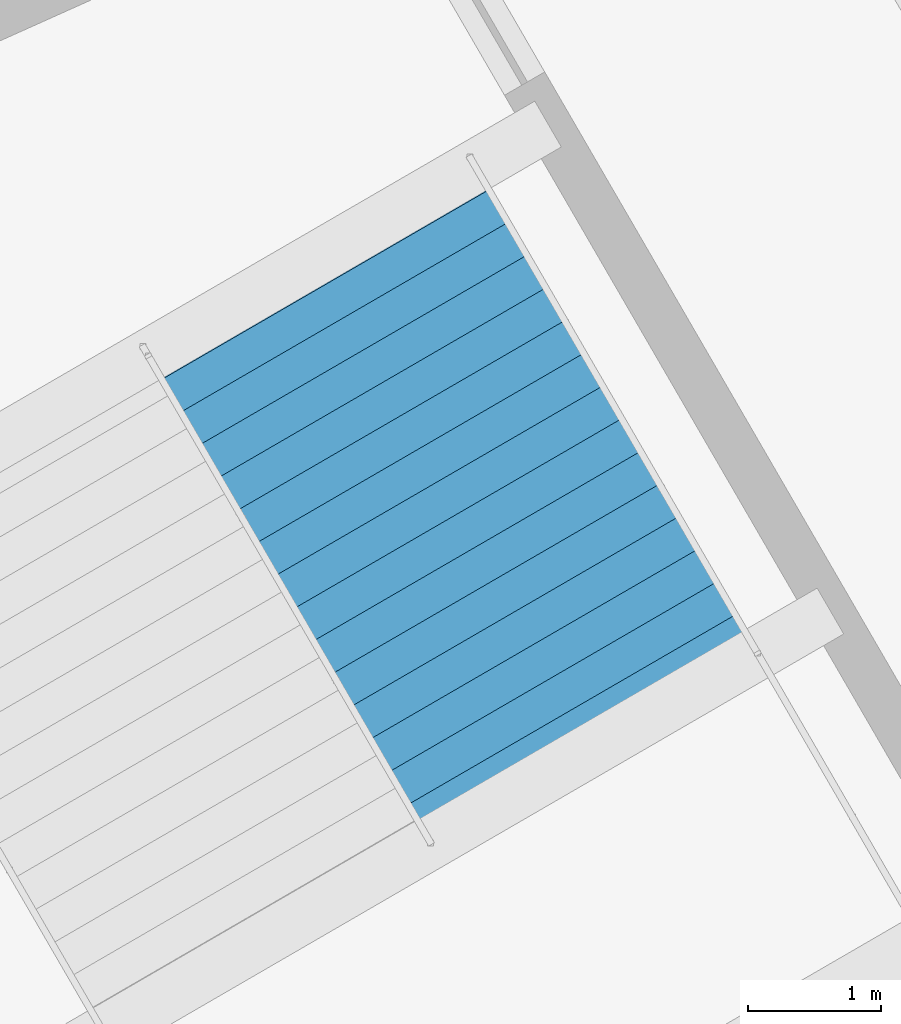
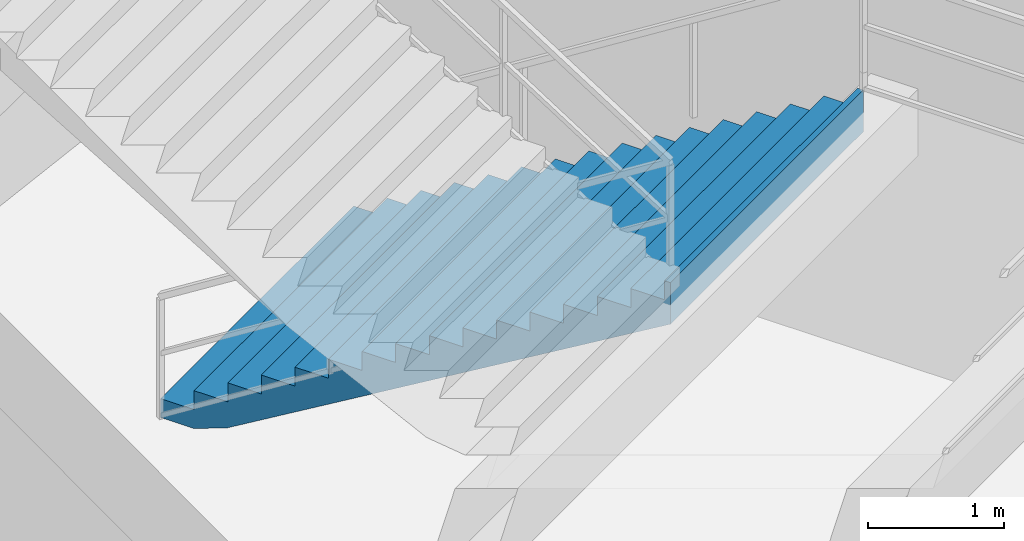
# One storey, part 22 of 49: 1 stair flight, 1 element without a shape of its own.
"""IFC4 building model written with IfcOpenShell, lengths in metres."""

from ifc_helpers import new_model, si_unit, direction, frame, origin, place, context, subcontext, project, spatial, polygons, material, type_object, element, aggregate, save


model = new_model("IFC4")

# Units and contexts
model_context = context("Model", 3, precision=1e-05, world=origin(), true_north=direction((0.0, 1.0)))
body_context = subcontext(model_context, "Body", "Model", "MODEL_VIEW")
ifc_project = project(units=[si_unit("LENGTHUNIT", "METRE"), si_unit("AREAUNIT", "SQUARE_METRE"), si_unit("VOLUMEUNIT", "CUBIC_METRE"), si_unit("PLANEANGLEUNIT", "RADIAN"), si_unit("MASSUNIT", "GRAM", prefix="KILO")], contexts=[model_context])

# Site, building, storey
site_placement = place(None, origin())
site = spatial("IfcSite", under=ifc_project, at=site_placement, CompositionType="ELEMENT")
building_placement = place(site_placement, origin())
building = spatial("IfcBuilding", under=site, at=building_placement, Name="Kazemori Nagisa Stadium", CompositionType="ELEMENT")
storey_placement = place(building_placement, frame((0.0, 0.0, -5.43994140625)))
storey = spatial("IfcBuildingStorey", under=building, at=storey_placement, Name="B1", CompositionType="ELEMENT", Elevation=-5.43994140625)

# Stair, stair flight
ifc_material = material(Name="Concrete C36/45 (Fc36)", Category="concrete")
stair_type = type_object("IfcStairType", Name="Stair_CORE_32", PredefinedType="TWO_STRAIGHT_RUN_STAIR", material=ifc_material)
stair_placement = place(storey_placement, origin())
stair = element("IfcStair", 1, at=stair_placement, inside=storey, type_object=stair_type, Name="Exit stair ST09 B1", PredefinedType="TWO_STRAIGHT_RUN_STAIR")
stair_flight_type = type_object("IfcStairFlightType", Name="Flight_CORE_16", PredefinedType="STRAIGHT", material=ifc_material)
stair_flight_placement = place(storey_placement, frame((43.585693359375, 63.55029296875, 0.0), z_axis=(0.0, 0.0, 1.0), x_axis=(0.501596719773, -0.865101572483, 0.0)))
stair_flight = element("IfcStairFlight", 2, at=stair_flight_placement, type_object=stair_flight_type, Name="Exit stair ST09 B1 flight 1", NumberOfRisers=16, NumberOfTreads=15, PredefinedType="STRAIGHT", RiserHeight=0.17, TreadLength=0.285, context=body_context, shape_type="Tessellation", body=[
    polygons([(0.0, -1.425048828125, 0.0), (0.0, -1.425048828125, 0.169921875), (0.284912109375, -1.425048828125, 0.169921875), (0.284912109375, -1.425048828125, 0.340087890625), (0.570068359375, -1.425048828125, 0.340087890625), (0.570068359375, -1.425048828125, 0.510009765625), (0.85498046875, -1.425048828125, 0.510009765625), (0.85498046875, -1.425048828125, 0.679931640625), (1.139892578125, -1.425048828125, 0.679931640625), (1.139892578125, -1.425048828125, 0.85009765625), (1.425048828125, -1.425048828125, 0.85009765625), (1.425048828125, -1.425048828125, 1.02001953125), (1.7099609375, -1.425048828125, 1.02001953125), (1.7099609375, -1.425048828125, 1.18994140625), (1.9951171875, -1.425048828125, 1.18994140625), (1.9951171875, -1.425048828125, 1.360107421875), (2.280029296875, -1.425048828125, 1.360107421875), (2.280029296875, -1.425048828125, 1.530029296875), (2.56494140625, -1.425048828125, 1.530029296875), (2.56494140625, -1.425048828125, 1.699951171875), (2.85009765625, -1.425048828125, 1.699951171875), (2.85009765625, -1.425048828125, 1.8701171875), (3.135009765625, -1.425048828125, 1.8701171875), (3.135009765625, -1.425048828125, 2.0400390625), (3.419921875, -1.425048828125, 2.0400390625), (3.419921875, -1.425048828125, 2.2099609375), (3.705078125, -1.425048828125, 2.2099609375), (3.705078125, -1.425048828125, 2.3798828125), (3.989990234375, -1.425048828125, 2.3798828125), (3.989990234375, -1.425048828125, 2.550048828125), (4.27490234375, -1.425048828125, 2.550048828125), (4.27490234375, -1.425048828125, 2.719970703125), (4.324951171875, -1.425048828125, 2.719970703125), (4.324951171875, -1.425048828125, 2.346923828125), (4.27490234375, -1.425048828125, 2.317138671875), (3.989990234375, -1.425048828125, 2.147216796875), (3.705078125, -1.425048828125, 1.977294921875), (3.419921875, -1.425048828125, 1.80712890625), (3.135009765625, -1.425048828125, 1.63720703125), (2.85009765625, -1.425048828125, 1.46728515625), (2.56494140625, -1.425048828125, 1.297119140625), (2.280029296875, -1.425048828125, 1.127197265625), (1.9951171875, -1.425048828125, 0.957275390625), (1.7099609375, -1.425048828125, 0.787109375), (1.425048828125, -1.425048828125, 0.6171875), (1.139892578125, -1.425048828125, 0.447265625), (0.85498046875, -1.425048828125, 0.277099609375), (0.570068359375, -1.425048828125, 0.107177734375), (0.284912109375, -1.425048828125, 0.0), (0.0, -0.08544921875, 0.0), (0.0, -0.08544921875, 0.169921875), (0.284912109375, -0.08544921875, 0.169921875), (0.284912109375, -0.08544921875, 0.340087890625), (0.570068359375, -0.08544921875, 0.340087890625), (0.570068359375, -0.08544921875, 0.510009765625), (0.85498046875, -0.08544921875, 0.510009765625), (0.85498046875, -0.08544921875, 0.679931640625), (1.139892578125, -0.08544921875, 0.679931640625), (1.139892578125, -0.08544921875, 0.85009765625), (1.425048828125, -0.08544921875, 0.85009765625), (1.425048828125, -0.08544921875, 1.02001953125), (1.7099609375, -0.08544921875, 1.02001953125), (1.7099609375, -0.08544921875, 1.18994140625), (1.9951171875, -0.08544921875, 1.18994140625), (1.9951171875, -0.08544921875, 1.360107421875), (2.280029296875, -0.08544921875, 1.360107421875), (2.280029296875, -0.08544921875, 1.530029296875), (2.56494140625, -0.08544921875, 1.530029296875), (2.56494140625, -0.08544921875, 1.699951171875), (2.85009765625, -0.08544921875, 1.699951171875), (2.85009765625, -0.08544921875, 1.8701171875), (3.135009765625, -0.08544921875, 1.8701171875), (3.135009765625, -0.08544921875, 2.0400390625), (3.419921875, -0.08544921875, 2.0400390625), (3.419921875, -0.08544921875, 2.2099609375), (3.705078125, -0.08544921875, 2.2099609375), (3.705078125, -0.08544921875, 2.3798828125), (3.989990234375, -0.08544921875, 2.3798828125), (3.989990234375, -0.08544921875, 2.550048828125), (4.27490234375, -0.08544921875, 2.550048828125), (4.27490234375, -0.08544921875, 2.719970703125), (4.324951171875, -0.08544921875, 2.719970703125), (4.324951171875, -0.08544921875, 2.346923828125), (4.27490234375, -0.08544921875, 2.317138671875), (3.989990234375, -0.08544921875, 2.147216796875), (3.705078125, -0.08544921875, 1.977294921875), (3.419921875, -0.08544921875, 1.80712890625), (3.135009765625, -0.08544921875, 1.63720703125), (2.85009765625, -0.08544921875, 1.46728515625), (2.56494140625, -0.08544921875, 1.297119140625), (2.280029296875, -0.08544921875, 1.127197265625), (1.9951171875, -0.08544921875, 0.957275390625), (1.7099609375, -0.08544921875, 0.787109375), (1.425048828125, -0.08544921875, 0.6171875), (1.139892578125, -0.08544921875, 0.447265625), (0.85498046875, -0.08544921875, 0.277099609375), (0.570068359375, -0.08544921875, 0.107177734375), (0.284912109375, -0.08544921875, 0.0), (0.0, 0.0, 0.0), (0.0, 0.0, 0.169921875), (0.284912109375, 0.0, 0.169921875), (0.284912109375, 0.0, 0.340087890625), (0.570068359375, 0.0, 0.340087890625), (0.570068359375, 0.0, 0.510009765625), (0.85498046875, 0.0, 0.510009765625), (0.85498046875, 0.0, 0.679931640625), (1.139892578125, 0.0, 0.679931640625), (1.139892578125, 0.0, 0.85009765625), (1.425048828125, 0.0, 0.85009765625), (1.425048828125, 0.0, 1.02001953125), (1.7099609375, 0.0, 1.02001953125), (1.7099609375, 0.0, 1.18994140625), (1.9951171875, 0.0, 1.18994140625), (1.9951171875, 0.0, 1.360107421875), (2.280029296875, 0.0, 1.360107421875), (2.280029296875, 0.0, 1.530029296875), (2.56494140625, 0.0, 1.530029296875), (2.56494140625, 0.0, 1.699951171875), (2.85009765625, 0.0, 1.699951171875), (2.85009765625, 0.0, 1.8701171875), (3.135009765625, 0.0, 1.8701171875), (3.135009765625, 0.0, 2.0400390625), (3.419921875, 0.0, 2.0400390625), (3.419921875, 0.0, 2.2099609375), (3.705078125, 0.0, 2.2099609375), (3.705078125, 0.0, 2.3798828125), (3.989990234375, 0.0, 2.3798828125), (3.989990234375, 0.0, 2.550048828125), (4.27490234375, 0.0, 2.550048828125), (4.27490234375, 0.0, 2.719970703125), (4.324951171875, 0.0, 2.719970703125), (4.324951171875, 0.0, 2.346923828125), (4.27490234375, 0.0, 2.317138671875), (3.989990234375, 0.0, 2.147216796875), (3.705078125, 0.0, 1.977294921875), (3.419921875, 0.0, 1.80712890625), (3.135009765625, 0.0, 1.63720703125), (2.85009765625, 0.0, 1.46728515625), (2.56494140625, 0.0, 1.297119140625), (2.280029296875, 0.0, 1.127197265625), (1.9951171875, 0.0, 0.957275390625), (1.7099609375, 0.0, 0.787109375), (1.425048828125, 0.0, 0.6171875), (1.139892578125, 0.0, 0.447265625), (0.85498046875, 0.0, 0.277099609375), (0.570068359375, 0.0, 0.107177734375), (0.284912109375, 0.0, 0.0), (0.0, 0.08544921875, 0.0), (0.0, 0.08544921875, 0.169921875), (0.284912109375, 0.08544921875, 0.169921875), (0.284912109375, 0.08544921875, 0.340087890625), (0.570068359375, 0.08544921875, 0.340087890625), (0.570068359375, 0.08544921875, 0.510009765625), (0.85498046875, 0.08544921875, 0.510009765625), (0.85498046875, 0.08544921875, 0.679931640625), (1.139892578125, 0.08544921875, 0.679931640625), (1.139892578125, 0.08544921875, 0.85009765625), (1.425048828125, 0.08544921875, 0.85009765625), (1.425048828125, 0.08544921875, 1.02001953125), (1.7099609375, 0.08544921875, 1.02001953125), (1.7099609375, 0.08544921875, 1.18994140625), (1.9951171875, 0.08544921875, 1.18994140625), (1.9951171875, 0.08544921875, 1.360107421875), (2.280029296875, 0.08544921875, 1.360107421875), (2.280029296875, 0.08544921875, 1.530029296875), (2.56494140625, 0.08544921875, 1.530029296875), (2.56494140625, 0.08544921875, 1.699951171875), (2.85009765625, 0.08544921875, 1.699951171875), (2.85009765625, 0.08544921875, 1.8701171875), (3.135009765625, 0.08544921875, 1.8701171875), (3.135009765625, 0.08544921875, 2.0400390625), (3.419921875, 0.08544921875, 2.0400390625), (3.419921875, 0.08544921875, 2.2099609375), (3.705078125, 0.08544921875, 2.2099609375), (3.705078125, 0.08544921875, 2.3798828125), (3.989990234375, 0.08544921875, 2.3798828125), (3.989990234375, 0.08544921875, 2.550048828125), (4.27490234375, 0.08544921875, 2.550048828125), (4.27490234375, 0.08544921875, 2.719970703125), (4.324951171875, 0.08544921875, 2.719970703125), (4.324951171875, 0.08544921875, 2.346923828125), (4.27490234375, 0.08544921875, 2.317138671875), (3.989990234375, 0.08544921875, 2.147216796875), (3.705078125, 0.08544921875, 1.977294921875), (3.419921875, 0.08544921875, 1.80712890625), (3.135009765625, 0.08544921875, 1.63720703125), (2.85009765625, 0.08544921875, 1.46728515625), (2.56494140625, 0.08544921875, 1.297119140625), (2.280029296875, 0.08544921875, 1.127197265625), (1.9951171875, 0.08544921875, 0.957275390625), (1.7099609375, 0.08544921875, 0.787109375), (1.425048828125, 0.08544921875, 0.6171875), (1.139892578125, 0.08544921875, 0.447265625), (0.85498046875, 0.08544921875, 0.277099609375), (0.570068359375, 0.08544921875, 0.107177734375), (0.284912109375, 0.08544921875, 0.0), (0.0, 1.425048828125, 0.0), (0.0, 1.425048828125, 0.169921875), (0.284912109375, 1.425048828125, 0.169921875), (0.284912109375, 1.425048828125, 0.340087890625), (0.570068359375, 1.425048828125, 0.340087890625), (0.570068359375, 1.425048828125, 0.510009765625), (0.85498046875, 1.425048828125, 0.510009765625), (0.85498046875, 1.425048828125, 0.679931640625), (1.139892578125, 1.425048828125, 0.679931640625), (1.139892578125, 1.425048828125, 0.85009765625), (1.425048828125, 1.425048828125, 0.85009765625), (1.425048828125, 1.425048828125, 1.02001953125), (1.7099609375, 1.425048828125, 1.02001953125), (1.7099609375, 1.425048828125, 1.18994140625), (1.9951171875, 1.425048828125, 1.18994140625), (1.9951171875, 1.425048828125, 1.360107421875), (2.280029296875, 1.425048828125, 1.360107421875), (2.280029296875, 1.425048828125, 1.530029296875), (2.56494140625, 1.425048828125, 1.530029296875), (2.56494140625, 1.425048828125, 1.699951171875), (2.85009765625, 1.425048828125, 1.699951171875), (2.85009765625, 1.425048828125, 1.8701171875), (3.135009765625, 1.425048828125, 1.8701171875), (3.135009765625, 1.425048828125, 2.0400390625), (3.419921875, 1.425048828125, 2.0400390625), (3.419921875, 1.425048828125, 2.2099609375), (3.705078125, 1.425048828125, 2.2099609375), (3.705078125, 1.425048828125, 2.3798828125), (3.989990234375, 1.425048828125, 2.3798828125), (3.989990234375, 1.425048828125, 2.550048828125), (4.27490234375, 1.425048828125, 2.550048828125), (4.27490234375, 1.425048828125, 2.719970703125), (4.324951171875, 1.425048828125, 2.719970703125), (4.324951171875, 1.425048828125, 2.346923828125), (4.27490234375, 1.425048828125, 2.317138671875), (3.989990234375, 1.425048828125, 2.147216796875), (3.705078125, 1.425048828125, 1.977294921875), (3.419921875, 1.425048828125, 1.80712890625), (3.135009765625, 1.425048828125, 1.63720703125), (2.85009765625, 1.425048828125, 1.46728515625), (2.56494140625, 1.425048828125, 1.297119140625), (2.280029296875, 1.425048828125, 1.127197265625), (1.9951171875, 1.425048828125, 0.957275390625), (1.7099609375, 1.425048828125, 0.787109375), (1.425048828125, 1.425048828125, 0.6171875), (1.139892578125, 1.425048828125, 0.447265625), (0.85498046875, 1.425048828125, 0.277099609375), (0.570068359375, 1.425048828125, 0.107177734375), (0.284912109375, 1.425048828125, 0.0)], [[[1, 2, 51]], [[1, 51, 50]], [[2, 3, 52]], [[2, 52, 51]], [[3, 4, 53]], [[3, 53, 52]], [[4, 5, 54]], [[4, 54, 53]], [[5, 6, 55]], [[5, 55, 54]], [[6, 7, 56]], [[6, 56, 55]], [[7, 8, 57]], [[7, 57, 56]], [[8, 9, 58]], [[8, 58, 57]], [[9, 10, 59]], [[9, 59, 58]], [[10, 11, 60]], [[10, 60, 59]], [[11, 12, 61]], [[11, 61, 60]], [[12, 13, 62]], [[12, 62, 61]], [[13, 14, 63]], [[13, 63, 62]], [[14, 15, 64]], [[14, 64, 63]], [[15, 16, 65]], [[15, 65, 64]], [[16, 17, 66]], [[16, 66, 65]], [[17, 18, 67]], [[17, 67, 66]], [[18, 19, 68]], [[18, 68, 67]], [[19, 20, 69]], [[19, 69, 68]], [[20, 21, 70]], [[20, 70, 69]], [[21, 22, 71]], [[21, 71, 70]], [[22, 23, 72]], [[22, 72, 71]], [[23, 24, 73]], [[23, 73, 72]], [[24, 25, 74]], [[24, 74, 73]], [[25, 26, 75]], [[25, 75, 74]], [[26, 27, 76]], [[26, 76, 75]], [[27, 28, 77]], [[27, 77, 76]], [[28, 29, 78]], [[28, 78, 77]], [[29, 30, 79]], [[29, 79, 78]], [[30, 31, 80]], [[30, 80, 79]], [[31, 32, 81]], [[31, 81, 80]], [[32, 33, 82]], [[32, 82, 81]], [[33, 34, 83]], [[33, 83, 82]], [[34, 35, 84]], [[34, 84, 83]], [[35, 36, 85]], [[35, 85, 84]], [[36, 37, 86]], [[36, 86, 85]], [[37, 38, 87]], [[37, 87, 86]], [[38, 39, 88]], [[38, 88, 87]], [[39, 40, 89]], [[39, 89, 88]], [[40, 41, 90]], [[40, 90, 89]], [[41, 42, 91]], [[41, 91, 90]], [[42, 43, 92]], [[42, 92, 91]], [[43, 44, 93]], [[43, 93, 92]], [[44, 45, 94]], [[44, 94, 93]], [[45, 46, 95]], [[45, 95, 94]], [[46, 47, 96]], [[46, 96, 95]], [[47, 48, 97]], [[47, 97, 96]], [[48, 49, 98]], [[48, 98, 97]], [[49, 1, 50]], [[49, 50, 98]], [[50, 51, 100]], [[50, 100, 99]], [[51, 52, 101]], [[51, 101, 100]], [[52, 53, 102]], [[52, 102, 101]], [[53, 54, 103]], [[53, 103, 102]], [[54, 55, 104]], [[54, 104, 103]], [[55, 56, 105]], [[55, 105, 104]], [[56, 57, 106]], [[56, 106, 105]], [[57, 58, 107]], [[57, 107, 106]], [[58, 59, 108]], [[58, 108, 107]], [[59, 60, 109]], [[59, 109, 108]], [[60, 61, 110]], [[60, 110, 109]], [[61, 62, 111]], [[61, 111, 110]], [[62, 63, 112]], [[62, 112, 111]], [[63, 64, 113]], [[63, 113, 112]], [[64, 65, 114]], [[64, 114, 113]], [[65, 66, 115]], [[65, 115, 114]], [[66, 67, 116]], [[66, 116, 115]], [[67, 68, 117]], [[67, 117, 116]], [[68, 69, 118]], [[68, 118, 117]], [[69, 70, 119]], [[69, 119, 118]], [[70, 71, 120]], [[70, 120, 119]], [[71, 72, 121]], [[71, 121, 120]], [[72, 73, 122]], [[72, 122, 121]], [[73, 74, 123]], [[73, 123, 122]], [[74, 75, 124]], [[74, 124, 123]], [[75, 76, 125]], [[75, 125, 124]], [[76, 77, 126]], [[76, 126, 125]], [[77, 78, 127]], [[77, 127, 126]], [[78, 79, 128]], [[78, 128, 127]], [[79, 80, 129]], [[79, 129, 128]], [[80, 81, 130]], [[80, 130, 129]], [[81, 82, 131]], [[81, 131, 130]], [[82, 83, 132]], [[82, 132, 131]], [[83, 84, 133]], [[83, 133, 132]], [[84, 85, 134]], [[84, 134, 133]], [[85, 86, 135]], [[85, 135, 134]], [[86, 87, 136]], [[86, 136, 135]], [[87, 88, 137]], [[87, 137, 136]], [[88, 89, 138]], [[88, 138, 137]], [[89, 90, 139]], [[89, 139, 138]], [[90, 91, 140]], [[90, 140, 139]], [[91, 92, 141]], [[91, 141, 140]], [[92, 93, 142]], [[92, 142, 141]], [[93, 94, 143]], [[93, 143, 142]], [[94, 95, 144]], [[94, 144, 143]], [[95, 96, 145]], [[95, 145, 144]], [[96, 97, 146]], [[96, 146, 145]], [[97, 98, 147]], [[97, 147, 146]], [[98, 50, 99]], [[98, 99, 147]], [[99, 100, 149]], [[99, 149, 148]], [[100, 101, 150]], [[100, 150, 149]], [[101, 102, 151]], [[101, 151, 150]], [[102, 103, 152]], [[102, 152, 151]], [[103, 104, 153]], [[103, 153, 152]], [[104, 105, 154]], [[104, 154, 153]], [[105, 106, 155]], [[105, 155, 154]], [[106, 107, 156]], [[106, 156, 155]], [[107, 108, 157]], [[107, 157, 156]], [[108, 109, 158]], [[108, 158, 157]], [[109, 110, 159]], [[109, 159, 158]], [[110, 111, 160]], [[110, 160, 159]], [[111, 112, 161]], [[111, 161, 160]], [[112, 113, 162]], [[112, 162, 161]], [[113, 114, 163]], [[113, 163, 162]], [[114, 115, 164]], [[114, 164, 163]], [[115, 116, 165]], [[115, 165, 164]], [[116, 117, 166]], [[116, 166, 165]], [[117, 118, 167]], [[117, 167, 166]], [[118, 119, 168]], [[118, 168, 167]], [[119, 120, 169]], [[119, 169, 168]], [[120, 121, 170]], [[120, 170, 169]], [[121, 122, 171]], [[121, 171, 170]], [[122, 123, 172]], [[122, 172, 171]], [[123, 124, 173]], [[123, 173, 172]], [[124, 125, 174]], [[124, 174, 173]], [[125, 126, 175]], [[125, 175, 174]], [[126, 127, 176]], [[126, 176, 175]], [[127, 128, 177]], [[127, 177, 176]], [[128, 129, 178]], [[128, 178, 177]], [[129, 130, 179]], [[129, 179, 178]], [[130, 131, 180]], [[130, 180, 179]], [[131, 132, 181]], [[131, 181, 180]], [[132, 133, 182]], [[132, 182, 181]], [[133, 134, 183]], [[133, 183, 182]], [[134, 135, 184]], [[134, 184, 183]], [[135, 136, 185]], [[135, 185, 184]], [[136, 137, 186]], [[136, 186, 185]], [[137, 138, 187]], [[137, 187, 186]], [[138, 139, 188]], [[138, 188, 187]], [[139, 140, 189]], [[139, 189, 188]], [[140, 141, 190]], [[140, 190, 189]], [[141, 142, 191]], [[141, 191, 190]], [[142, 143, 192]], [[142, 192, 191]], [[143, 144, 193]], [[143, 193, 192]], [[144, 145, 194]], [[144, 194, 193]], [[145, 146, 195]], [[145, 195, 194]], [[146, 147, 196]], [[146, 196, 195]], [[147, 99, 148]], [[147, 148, 196]], [[148, 149, 198]], [[148, 198, 197]], [[149, 150, 199]], [[149, 199, 198]], [[150, 151, 200]], [[150, 200, 199]], [[151, 152, 201]], [[151, 201, 200]], [[152, 153, 202]], [[152, 202, 201]], [[153, 154, 203]], [[153, 203, 202]], [[154, 155, 204]], [[154, 204, 203]], [[155, 156, 205]], [[155, 205, 204]], [[156, 157, 206]], [[156, 206, 205]], [[157, 158, 207]], [[157, 207, 206]], [[158, 159, 208]], [[158, 208, 207]], [[159, 160, 209]], [[159, 209, 208]], [[160, 161, 210]], [[160, 210, 209]], [[161, 162, 211]], [[161, 211, 210]], [[162, 163, 212]], [[162, 212, 211]], [[163, 164, 213]], [[163, 213, 212]], [[164, 165, 214]], [[164, 214, 213]], [[165, 166, 215]], [[165, 215, 214]], [[166, 167, 216]], [[166, 216, 215]], [[167, 168, 217]], [[167, 217, 216]], [[168, 169, 218]], [[168, 218, 217]], [[169, 170, 219]], [[169, 219, 218]], [[170, 171, 220]], [[170, 220, 219]], [[171, 172, 221]], [[171, 221, 220]], [[172, 173, 222]], [[172, 222, 221]], [[173, 174, 223]], [[173, 223, 222]], [[174, 175, 224]], [[174, 224, 223]], [[175, 176, 225]], [[175, 225, 224]], [[176, 177, 226]], [[176, 226, 225]], [[177, 178, 227]], [[177, 227, 226]], [[178, 179, 228]], [[178, 228, 227]], [[179, 180, 229]], [[179, 229, 228]], [[180, 181, 230]], [[180, 230, 229]], [[181, 182, 231]], [[181, 231, 230]], [[182, 183, 232]], [[182, 232, 231]], [[183, 184, 233]], [[183, 233, 232]], [[184, 185, 234]], [[184, 234, 233]], [[185, 186, 235]], [[185, 235, 234]], [[186, 187, 236]], [[186, 236, 235]], [[187, 188, 237]], [[187, 237, 236]], [[188, 189, 238]], [[188, 238, 237]], [[189, 190, 239]], [[189, 239, 238]], [[190, 191, 240]], [[190, 240, 239]], [[191, 192, 241]], [[191, 241, 240]], [[192, 193, 242]], [[192, 242, 241]], [[193, 194, 243]], [[193, 243, 242]], [[194, 195, 244]], [[194, 244, 243]], [[195, 196, 245]], [[195, 245, 244]], [[196, 148, 197]], [[196, 197, 245]], [[3, 2, 1]], [[197, 198, 199]], [[49, 3, 1]], [[197, 199, 245]], [[48, 3, 49]], [[245, 199, 244]], [[5, 3, 48]], [[244, 199, 201]], [[5, 4, 3]], [[199, 200, 201]], [[47, 5, 48]], [[244, 201, 243]], [[7, 5, 47]], [[243, 201, 203]], [[7, 6, 5]], [[201, 202, 203]], [[46, 7, 47]], [[243, 203, 242]], [[9, 7, 46]], [[242, 203, 205]], [[9, 8, 7]], [[203, 204, 205]], [[45, 9, 46]], [[242, 205, 241]], [[11, 9, 45]], [[241, 205, 207]], [[11, 10, 9]], [[205, 206, 207]], [[44, 11, 45]], [[241, 207, 240]], [[13, 11, 44]], [[240, 207, 209]], [[13, 12, 11]], [[207, 208, 209]], [[43, 13, 44]], [[240, 209, 239]], [[15, 13, 43]], [[239, 209, 211]], [[15, 14, 13]], [[209, 210, 211]], [[42, 15, 43]], [[239, 211, 238]], [[17, 15, 42]], [[238, 211, 213]], [[17, 16, 15]], [[211, 212, 213]], [[41, 17, 42]], [[238, 213, 237]], [[19, 17, 41]], [[237, 213, 215]], [[19, 18, 17]], [[213, 214, 215]], [[40, 19, 41]], [[237, 215, 236]], [[21, 19, 40]], [[236, 215, 217]], [[21, 20, 19]], [[215, 216, 217]], [[39, 21, 40]], [[236, 217, 235]], [[23, 21, 39]], [[235, 217, 219]], [[23, 22, 21]], [[217, 218, 219]], [[38, 23, 39]], [[235, 219, 234]], [[25, 23, 38]], [[234, 219, 221]], [[25, 24, 23]], [[219, 220, 221]], [[37, 25, 38]], [[234, 221, 233]], [[27, 25, 37]], [[233, 221, 223]], [[27, 26, 25]], [[221, 222, 223]], [[36, 27, 37]], [[233, 223, 232]], [[29, 27, 36]], [[232, 223, 225]], [[29, 28, 27]], [[223, 224, 225]], [[35, 29, 36]], [[232, 225, 231]], [[31, 29, 35]], [[231, 225, 227]], [[31, 30, 29]], [[225, 226, 227]], [[34, 31, 35]], [[231, 227, 230]], [[33, 31, 34]], [[230, 227, 229]], [[33, 32, 31]], [[227, 228, 229]]], closed=True),
])
aggregate(stair, [stair_flight])

save(model, "model.ifc")
